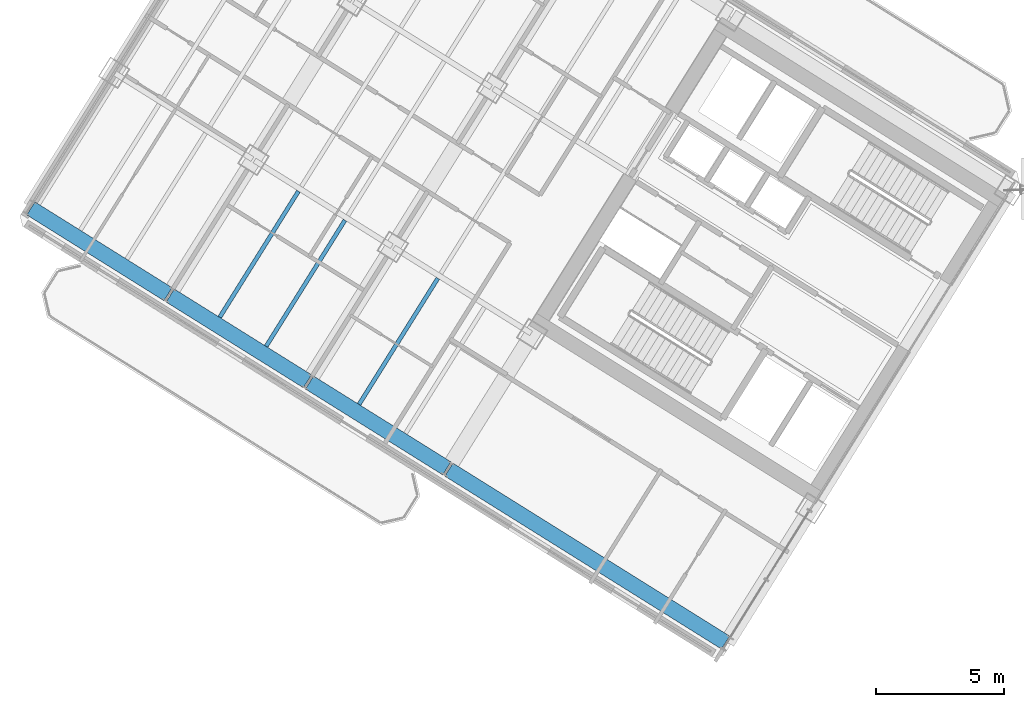
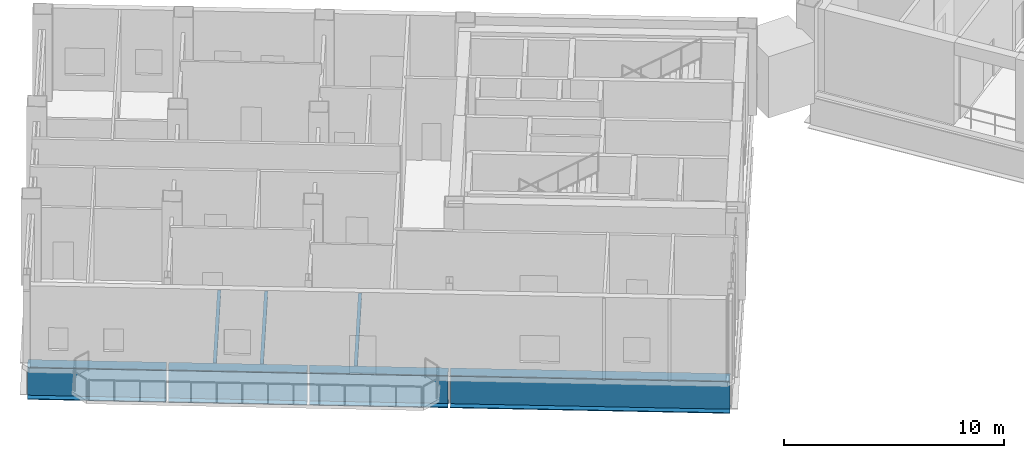
# One storey, part 5 of 22: 7 beams.
"""IFC4 building model written with IfcOpenShell, lengths in metres."""

from ifc_helpers import new_model, si_unit, direction, frame, origin, origin_2d, place, context, subcontext, project, spatial, i_section, extrude, source, transform, mapped, material, material_profile, profile_set, type_object, element, save


model = new_model("IFC4")

# Units and contexts
model_context = context("Model", 3, precision=1e-05, world=origin(), true_north=direction((0.0, 1.0)))
body_context = subcontext(model_context, "Body", "Model", "MODEL_VIEW")
ifc_project = project(units=[si_unit("LENGTHUNIT", "METRE"), si_unit("AREAUNIT", "SQUARE_METRE"), si_unit("VOLUMEUNIT", "CUBIC_METRE"), si_unit("PLANEANGLEUNIT", "RADIAN"), si_unit("MASSUNIT", "GRAM", prefix="KILO")], contexts=[model_context])

# Site, building, storey
site_placement = place(None, origin())
site = spatial("IfcSite", under=ifc_project, at=site_placement, CompositionType="ELEMENT")
building_placement = place(site_placement, origin())
building = spatial("IfcBuilding", under=site, at=building_placement, Name="Tlacorven Tower", CompositionType="ELEMENT")
storey_placement = place(building_placement, frame((0.0, 0.0, 127.800048828125)))
storey = spatial("IfcBuildingStorey", under=building, at=storey_placement, Name="L32", CompositionType="ELEMENT", Elevation=127.800048828125)

# Beams
ifc_material_1 = material(Name="Steel S460M", Category="steel")
ifc_material_profile_1 = material_profile(ifc_material_1, i_section(OverallWidth=0.60009765625, OverallDepth=1.800048828125, WebThickness=0.028076171875, FlangeThickness=0.0400390625, at=origin_2d()), Name="PG 1800X600X28X40")
ifc_profile_set_1 = profile_set([ifc_material_profile_1], Name="Steel S460M")
beam_type_1 = type_object("IfcBeamType", Name="BM-TRG-1800", PredefinedType="USERDEFINED", material=ifc_profile_set_1)
shared_shape_1 = source(origin(), body_context, "Body", "SweptSolid", [
    extrude(i_section(OverallWidth=0.60009765625, OverallDepth=1.800048828125, WebThickness=0.028076171875, FlangeThickness=0.0400390625, at=origin_2d()), origin(), (0.0, 0.0, 1.0), 12.699951171875),
])
beam_1_placement = place(storey_placement, frame((29.71826171875, 6.85546875, -1.179931640625), z_axis=(-0.848049059057, 0.529917723268, 0.0), x_axis=(-0.529917723268, -0.848049059057, 0.0)))
element("IfcBeam", 1, at=beam_1_placement, inside=storey, type_object=beam_type_1, Name="L32 beam BM-L32-WL4-1", ObjectType="TRANSFER GIRDER", PredefinedType="USERDEFINED", context=body_context, shape_type="MappedRepresentation", body=[
    mapped(shared_shape_1, transform((0.0, 0.0, 0.0), scale=1.0)),
])
shared_shape_2 = source(origin(), body_context, "Body", "SweptSolid", [
    extrude(i_section(OverallWidth=0.60009765625, OverallDepth=1.800048828125, WebThickness=0.028076171875, FlangeThickness=0.0400390625, at=origin_2d()), origin(), (0.0, 0.0, 1.0), 6.300048828125),
])
for number, where, z_axis, x_axis, name in (
    (2, (18.86328125, 13.638427734375, -1.179931640625), (-0.848041842361, 0.529929272267, 0.0), (-0.529929272267, -0.848041842361, 0.0), "L32 beam BM-L32-WL4-3"),
    (3, (13.435791015625, 17.030029296875, -1.179931640625), (-0.848059257352, 0.529901402168, 0.0), (-0.529901402168, -0.848059257352, 0.0), "L32 beam BM-L32-WL4-4"),
    (4, (8.00830078125, 20.42138671875, -1.179931640625), (-0.848041842361, 0.529929272267, 0.0), (-0.529929272267, -0.848041842361, 0.0), "L32 beam BM-L32-WL4-5"),
):
    element("IfcBeam", number, at=place(storey_placement, frame(where, z_axis=z_axis, x_axis=x_axis)), inside=storey, type_object=beam_type_1, Name=name, ObjectType="TRANSFER GIRDER", PredefinedType="USERDEFINED", context=body_context, shape_type="MappedRepresentation", body=[
        mapped(shared_shape_2, transform((0.0, 0.0, 0.0), scale=1.0)),
    ])
ifc_material_2 = material(Name="Steel S355J2", Category="steel")
ifc_material_profile_2 = material_profile(ifc_material_2, i_section(OverallWidth=0.159912109375, OverallDepth=0.330078125, WebThickness=0.007568359375, FlangeThickness=0.011474609375, at=origin_2d()), Name="IPE 330")
ifc_profile_set_2 = profile_set([ifc_material_profile_2], Name="Steel S355J2")
beam_type_2 = type_object("IfcBeamType", Name="BM-JST-330", PredefinedType="JOIST", material=ifc_profile_set_2)
shared_shape_3 = source(origin(), body_context, "Body", "SweptSolid", [
    extrude(i_section(OverallWidth=0.159912109375, OverallDepth=0.330078125, WebThickness=0.007568359375, FlangeThickness=0.011474609375, at=origin_2d()), origin(), (0.0, 0.0, 1.0), 5.78515625),
])
beam_2_placement = place(storey_placement, frame((14.896240234375, 23.298583984375, -0.445068359375), z_axis=(-0.52992686326, -0.84804334771, 0.0), x_axis=(0.84804334771, -0.52992686326, 0.0)))
element("IfcBeam", 5, at=beam_2_placement, inside=storey, type_object=beam_type_2, Name="L32 beam BM-L32-WJ4-3-1", PredefinedType="JOIST", context=body_context, shape_type="MappedRepresentation", body=[
    mapped(shared_shape_3, transform((0.0, 0.0, 0.0), scale=1.0)),
])
shared_shape_4 = source(origin(), body_context, "Body", "SweptSolid", [
    extrude(i_section(OverallWidth=0.159912109375, OverallDepth=0.330078125, WebThickness=0.007568359375, FlangeThickness=0.011474609375, at=origin_2d()), origin(), (0.0, 0.0, 1.0), 5.784912109375),
])
beam_3_placement = place(storey_placement, frame((18.514404296875, 21.03759765625, -0.445068359375), z_axis=(-0.529896511721, -0.84806231308, 0.0), x_axis=(0.84806231308, -0.529896511721, 0.0)))
element("IfcBeam", 6, at=beam_3_placement, inside=storey, type_object=beam_type_2, Name="L32 beam BM-L32-WJ3-3-2", PredefinedType="JOIST", context=body_context, shape_type="MappedRepresentation", body=[
    mapped(shared_shape_4, transform((0.0, 0.0, 0.0), scale=1.0)),
])
shared_shape_5 = source(origin(), body_context, "Body", "SweptSolid", [
    extrude(i_section(OverallWidth=0.159912109375, OverallDepth=0.330078125, WebThickness=0.007568359375, FlangeThickness=0.011474609375, at=origin_2d()), origin(), (0.0, 0.0, 1.0), 5.78466796875),
])
beam_4_placement = place(storey_placement, frame((13.0869140625, 24.428955078125, -0.445068359375), z_axis=(-0.529915477517, -0.848050462347, 0.0), x_axis=(0.848050462347, -0.529915477517, 0.0)))
element("IfcBeam", 7, at=beam_4_placement, inside=storey, type_object=beam_type_2, Name="L32 beam BM-L32-WJ4-3-2", PredefinedType="JOIST", context=body_context, shape_type="MappedRepresentation", body=[
    mapped(shared_shape_5, transform((0.0, 0.0, 0.0), scale=1.0)),
])

save(model, "model.ifc")
